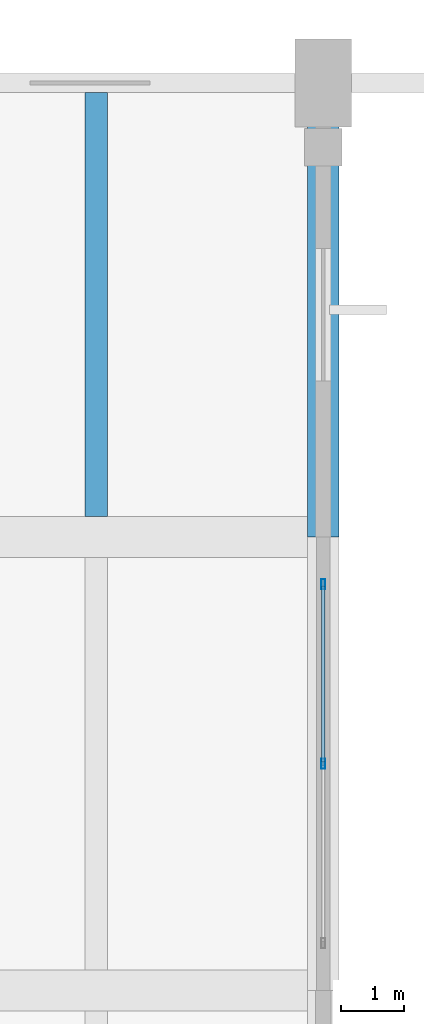
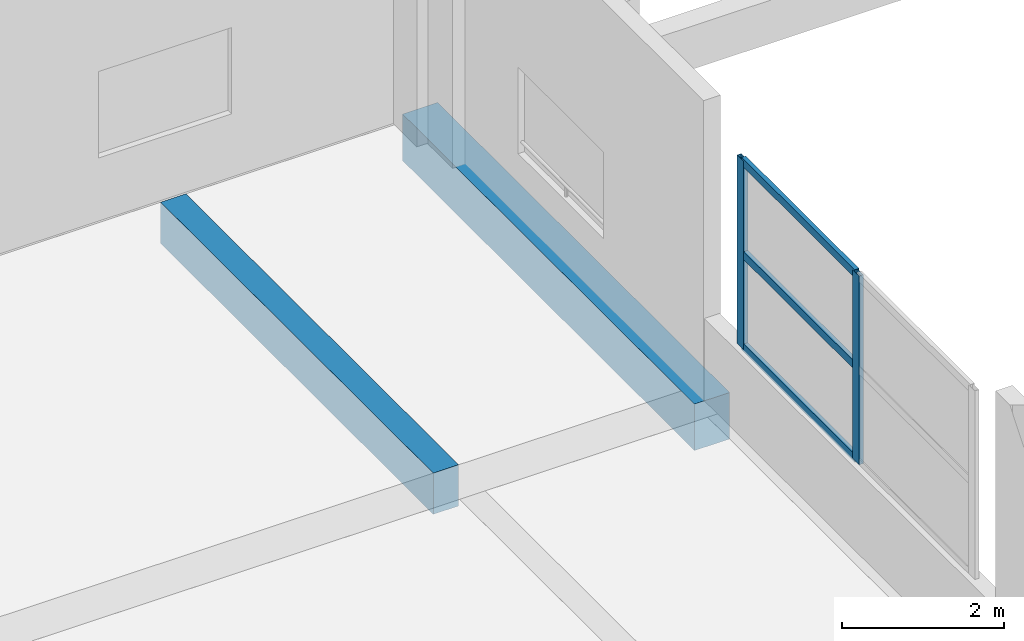
# One storey, part 83 of 181: 5 members, 2 beams, 1 element without a shape of its own.
"""IFC4 building model written with IfcOpenShell, lengths in metres."""

from ifc_helpers import new_model, si_unit, direction, frame, origin, origin_2d, place, context, subcontext, project, spatial, rectangle, hollow_rectangle, extrude, material, layer, layer_set, material_profile, profile_set, type_object, element, aggregate, save


model = new_model("IFC4")

# Units and contexts
model_context = context("Model", 3, precision=1e-05, world=origin(), true_north=direction((0.0, 1.0)))
body_context = subcontext(model_context, "Body", "Model", "MODEL_VIEW")
ifc_project = project(units=[si_unit("LENGTHUNIT", "METRE"), si_unit("AREAUNIT", "SQUARE_METRE"), si_unit("VOLUMEUNIT", "CUBIC_METRE"), si_unit("PLANEANGLEUNIT", "RADIAN"), si_unit("MASSUNIT", "GRAM", prefix="KILO")], contexts=[model_context])

# Site, building, storey
site_placement = place(None, origin())
site = spatial("IfcSite", under=ifc_project, at=site_placement, CompositionType="ELEMENT")
building_placement = place(site_placement, origin())
building = spatial("IfcBuilding", under=site, at=building_placement, Name="Seraya Terrace Polytechnic", CompositionType="ELEMENT")
storey_placement = place(building_placement, frame((0.0, 0.0, 4.800048828125)))
storey = spatial("IfcBuildingStorey", under=building, at=storey_placement, Name="L01", CompositionType="ELEMENT", Elevation=4.800048828125)

# Beam
ifc_material_1 = material(Name="Concrete C40/50", Category="concrete")
ifc_material_profile_1 = material_profile(ifc_material_1, rectangle(XDim=0.5, YDim=0.699951171875, at=origin_2d()), Name="RC 500x700")
ifc_profile_set_1 = profile_set([ifc_material_profile_1], Name="Concrete C40/50")
beam_type_1 = type_object("IfcBeamType", Name="BM-07", PredefinedType="BEAM", material=ifc_profile_set_1)
beam_1_placement = place(storey_placement, frame((28.800048828125, 108.0, -0.35009765625), z_axis=(0.0, 1.0, 0.0), x_axis=(-1.0, 0.0, 0.0)))
element("IfcBeam", 1, at=beam_1_placement, inside=storey, type_object=beam_type_1, Name="Beam BM-07 L01 Y (28.8, 108.0..115.2)", PredefinedType="BEAM", context=body_context, shape_type="SweptSolid", body=[
    extrude(rectangle(XDim=0.5, YDim=0.699951171875, at=origin_2d()), origin(), (0.0, 0.0, 1.0), 7.199951171875),
])

# Curtain wall, members
ifc_material_2 = material(Name="Anodised aluminium EN AW-6063 T6", Category="aluminium")
ifc_layer = layer(ifc_material_2, 0.179931640625, Name="CW-08")
ifc_layer_set = layer_set([ifc_layer], Name="Anodised aluminium EN AW-6063 T6")
curtain_wall_type = type_object("IfcCurtainWallType", Name="CW-08", PredefinedType="NOTDEFINED", material=ifc_layer_set)
curtain_wall_placement = place(storey_placement, origin())
curtain_wall = element("IfcCurtainWall", 2, at=curtain_wall_placement, inside=storey, type_object=curtain_wall_type, Name="Unitised curtain wall CW-08 (CW-L01-008)", PredefinedType="NOTDEFINED")
ifc_material_profile_2 = material_profile(ifc_material_2, hollow_rectangle(XDim=0.06005859375, YDim=0.159912109375, WallThickness=0.00341796875, at=origin_2d()), Name="RHS 160x60x3.5")
ifc_profile_set_2 = profile_set([ifc_material_profile_2], Name="Anodised aluminium EN AW-6063 T6")
member_type_1 = type_object("IfcMemberType", Name="CWM-02", PredefinedType="MULLION", material=ifc_profile_set_2)
member_1_placement = place(storey_placement, frame((28.800048828125, 107.25, 1.239990234375), z_axis=(0.0, 0.0, 1.0), x_axis=(1.0, 0.0, 0.0)))
member_1 = element("IfcMember", 3, at=member_1_placement, type_object=member_type_1, Name="CW-08 mullion 1", PredefinedType="MULLION", context=body_context, shape_type="SweptSolid", body=[
    extrude(hollow_rectangle(XDim=0.06005859375, YDim=0.159912109375, WallThickness=0.00341796875, at=origin_2d()), origin(), (0.0, 0.0, 1.0), 2.83984375),
])
member_2_placement = place(storey_placement, frame((28.800048828125, 104.39990234375, 1.239990234375), z_axis=(0.0, 0.0, 1.0), x_axis=(1.0, 0.0, 0.0)))
member_2 = element("IfcMember", 4, at=member_2_placement, type_object=member_type_1, Name="CW-08 mullion 2", PredefinedType="MULLION", context=body_context, shape_type="SweptSolid", body=[
    extrude(hollow_rectangle(XDim=0.06005859375, YDim=0.159912109375, WallThickness=0.00341796875, at=origin_2d()), origin(), (0.0, 0.0, 1.0), 2.83984375),
])
ifc_material_profile_3 = material_profile(ifc_material_2, hollow_rectangle(XDim=0.06005859375, YDim=0.1201171875, WallThickness=0.003173828125, at=origin_2d()), Name="RHS 120x60x3.2")
ifc_profile_set_3 = profile_set([ifc_material_profile_3], Name="Anodised aluminium EN AW-6063 T6")
member_type_2 = type_object("IfcMemberType", Name="CWT-02", PredefinedType="USERDEFINED", material=ifc_profile_set_3)
member_3_placement = place(storey_placement, frame((28.800048828125, 107.219970703125, 1.27001953125), z_axis=(0.0, -1.0, 0.0), x_axis=(1.0, 0.0, 0.0)))
member_3 = element("IfcMember", 5, at=member_3_placement, type_object=member_type_2, Name="CW-08 transom 1.1", ObjectType="TRANSOM", PredefinedType="USERDEFINED", context=body_context, shape_type="SweptSolid", body=[
    extrude(hollow_rectangle(XDim=0.06005859375, YDim=0.1201171875, WallThickness=0.003173828125, at=origin_2d()), origin(), (0.0, 0.0, 1.0), 2.7900390625),
])
member_4_placement = place(storey_placement, frame((28.800048828125, 107.219970703125, 2.659912109375), z_axis=(0.0, -1.0, 0.0), x_axis=(1.0, 0.0, 0.0)))
member_4 = element("IfcMember", 6, at=member_4_placement, type_object=member_type_2, Name="CW-08 transom 1.2", ObjectType="TRANSOM", PredefinedType="USERDEFINED", context=body_context, shape_type="SweptSolid", body=[
    extrude(hollow_rectangle(XDim=0.06005859375, YDim=0.1201171875, WallThickness=0.003173828125, at=origin_2d()), origin(), (0.0, 0.0, 1.0), 2.7900390625),
])
member_5_placement = place(storey_placement, frame((28.800048828125, 107.219970703125, 4.050048828125), z_axis=(0.0, -1.0, 0.0), x_axis=(1.0, 0.0, 0.0)))
member_5 = element("IfcMember", 7, at=member_5_placement, type_object=member_type_2, Name="CW-08 transom 1.3", ObjectType="TRANSOM", PredefinedType="USERDEFINED", context=body_context, shape_type="SweptSolid", body=[
    extrude(hollow_rectangle(XDim=0.06005859375, YDim=0.1201171875, WallThickness=0.003173828125, at=origin_2d()), origin(), (0.0, 0.0, 1.0), 2.7900390625),
])
aggregate(curtain_wall, [member_1, member_2, member_3, member_4, member_5])

# Beam
ifc_material_profile_4 = material_profile(ifc_material_1, rectangle(XDim=0.360107421875, YDim=0.6201171875, at=origin_2d()), Name="RC 360x620")
ifc_profile_set_4 = profile_set([ifc_material_profile_4], Name="Concrete C40/50")
beam_type_2 = type_object("IfcBeamType", Name="JS-01", PredefinedType="JOIST", material=ifc_profile_set_4)
beam_2_placement = place(storey_placement, frame((25.199951171875, 108.324951171875, -0.31005859375), z_axis=(0.0, 1.0, 0.0), x_axis=(-1.0, 0.0, 0.0)))
element("IfcBeam", 8, at=beam_2_placement, inside=storey, type_object=beam_type_2, Name="Secondary joist JS-01 L01", PredefinedType="JOIST", context=body_context, shape_type="SweptSolid", body=[
    extrude(rectangle(XDim=0.360107421875, YDim=0.6201171875, at=origin_2d()), origin(), (0.0, 0.0, 1.0), 6.72509765625),
])

save(model, "model.ifc")
